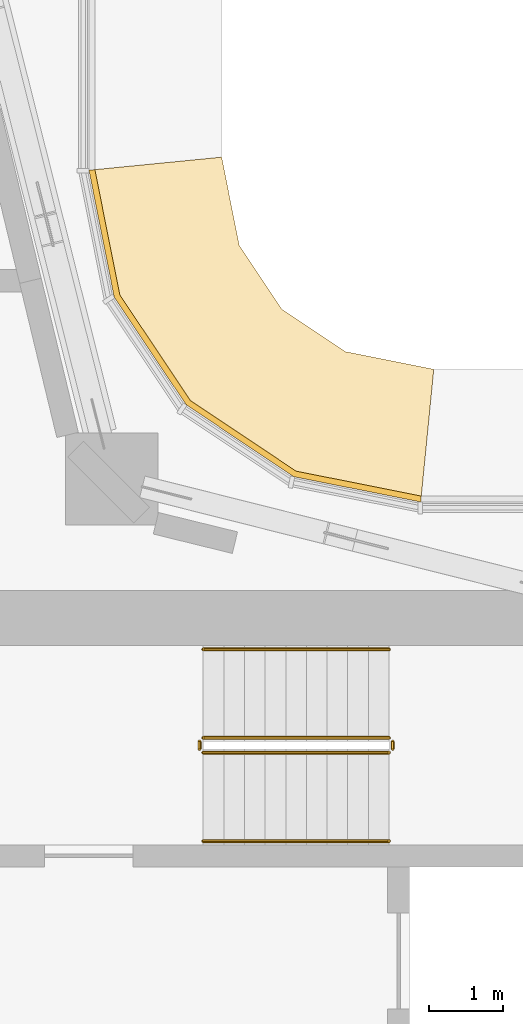
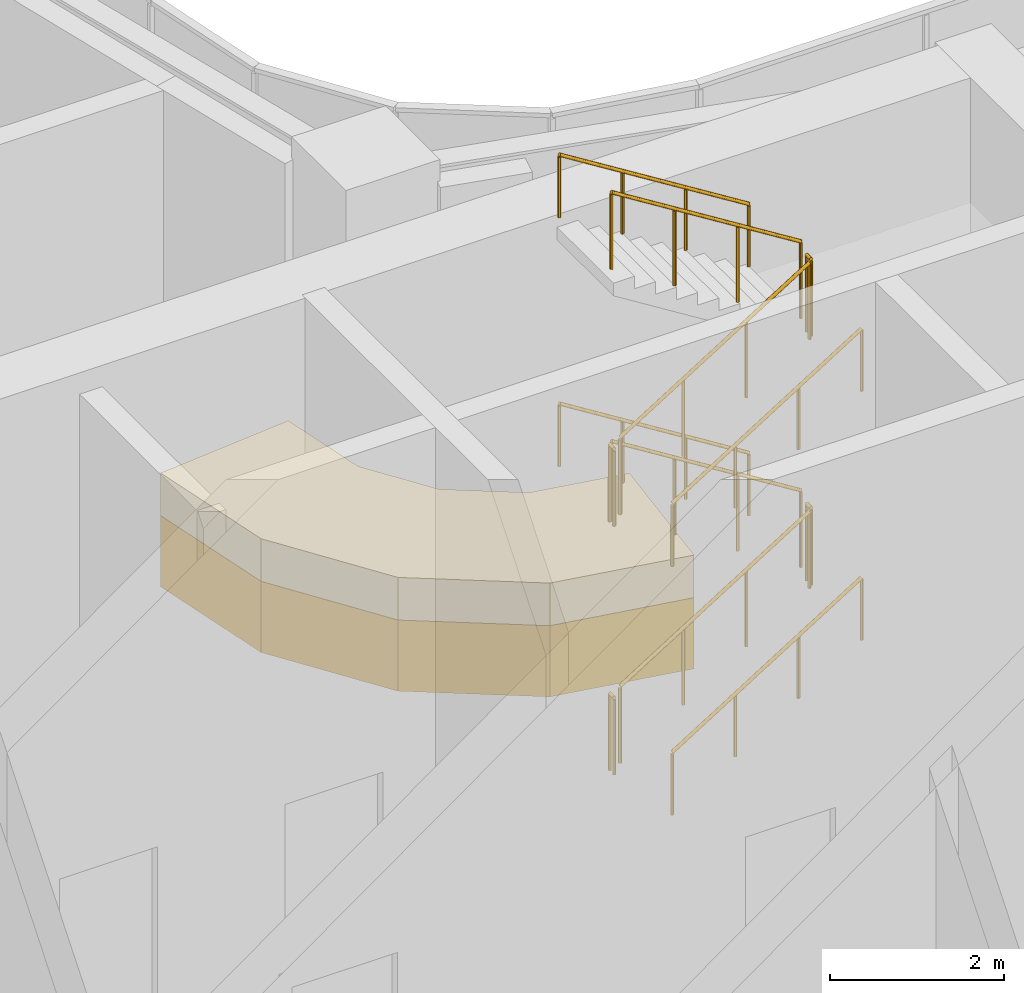
# One storey, part 29 of 35: 12 railings, 2 coverings.
"""IFC4 building model written with IfcOpenShell, lengths in metres."""

from ifc_helpers import new_model, si_unit, direction, frame, origin, origin_2d, place, context, subcontext, project, spatial, polyline, circle, outline, extrude, material, layer, layer_set, type_object, element, save


model = new_model("IFC4")

# Units and contexts
model_context = context("Model", 3, precision=1e-05, world=origin(), true_north=direction((0.0, 1.0)))
body_context = subcontext(model_context, "Body", "Model", "MODEL_VIEW")
ifc_project = project(units=[si_unit("LENGTHUNIT", "METRE"), si_unit("AREAUNIT", "SQUARE_METRE"), si_unit("VOLUMEUNIT", "CUBIC_METRE"), si_unit("PLANEANGLEUNIT", "RADIAN"), si_unit("MASSUNIT", "GRAM", prefix="KILO")], contexts=[model_context])

# Site, building, storey
site_placement = place(None, origin())
site = spatial("IfcSite", under=ifc_project, at=site_placement, CompositionType="ELEMENT")
building_placement = place(site_placement, origin())
building = spatial("IfcBuilding", under=site, at=building_placement, Name="Ogive Portal Towers", CompositionType="ELEMENT")
storey_placement = place(building_placement, frame((0.0, 0.0, 135.199951171875)))
storey = spatial("IfcBuildingStorey", under=building, at=storey_placement, Name="L33", CompositionType="ELEMENT", Elevation=135.199951171875)

# Railings
ifc_material_1 = material(Name="Stainless steel balustrade", Category="steel")
railing_type_1 = type_object("IfcRailingType", Name="INT-GUARD", PredefinedType="GUARDRAIL", material=ifc_material_1)
railing_1_placement = place(storey_placement, frame((52.550048828125, 37.60009765625, 0.175048828125)))
element("IfcRailing", 1, at=railing_1_placement, inside=storey, type_object=railing_type_1, Name="L33 ST-A2 stair guard 1", PredefinedType="GUARDRAIL", context=body_context, shape_type="SweptSolid", body=[
    extrude(circle(Radius=0.02392578125, at=origin_2d()), frame((0.0, 0.0, 1.076171875), z_axis=(0.848007534815, 0.0, 0.529984170421), x_axis=(0.0, 1.0, 0.0)), (0.0, 0.0, 1.0), 2.9716796875),
    extrude(circle(Radius=0.02099609375, at=origin_2d()), origin(), (0.0, 0.0, 1.0), 1.052001953125),
    extrude(circle(Radius=0.02099609375, at=origin_2d()), frame((0.840087890625, 0.0, 0.52490234375)), (0.0, 0.0, 1.0), 1.052001953125),
    extrude(circle(Radius=0.02099609375, at=origin_2d()), frame((1.679931640625, 0.0, 1.050048828125)), (0.0, 0.0, 1.0), 1.052001953125),
    extrude(circle(Radius=0.02099609375, at=origin_2d()), frame((2.52001953125, 0.0, 1.574951171875)), (0.0, 0.0, 1.0), 1.052001953125),
])
railing_2_placement = place(storey_placement, frame((55.1201171875, 37.64990234375, 1.75)))
element("IfcRailing", 2, at=railing_2_placement, inside=storey, type_object=railing_type_1, Name="L33 ST-A2 stair guard 2", PredefinedType="GUARDRAIL", context=body_context, shape_type="SweptSolid", body=[
    extrude(circle(Radius=0.02392578125, at=origin_2d()), frame((0.0, 0.0, 1.076171875), z_axis=(0.0, 1.0, 0.0), x_axis=(-1.0, 0.0, 0.0)), (0.0, 0.0, 1.0), 0.10009765625),
    extrude(circle(Radius=0.02099609375, at=origin_2d()), origin(), (0.0, 0.0, 1.0), 1.052001953125),
    extrude(circle(Radius=0.02099609375, at=origin_2d()), frame((0.0, 0.10009765625, 0.0)), (0.0, 0.0, 1.0), 1.052001953125),
])
railing_3_placement = place(storey_placement, frame((55.070068359375, 37.800048828125, 1.925048828125)))
element("IfcRailing", 3, at=railing_3_placement, inside=storey, type_object=railing_type_1, Name="L33 ST-A2 stair guard 3", PredefinedType="GUARDRAIL", context=body_context, shape_type="SweptSolid", body=[
    extrude(circle(Radius=0.02392578125, at=origin_2d()), frame((0.0, 0.0, 1.076171875), z_axis=(-0.848007534815, 0.0, 0.529984170421), x_axis=(0.0, -1.0, 0.0)), (0.0, 0.0, 1.0), 2.9716796875),
    extrude(circle(Radius=0.02099609375, at=origin_2d()), origin(), (0.0, 0.0, 1.0), 1.052001953125),
    extrude(circle(Radius=0.02099609375, at=origin_2d()), frame((-0.840087890625, 0.0, 0.52490234375)), (0.0, 0.0, 1.0), 1.052001953125),
    extrude(circle(Radius=0.02099609375, at=origin_2d()), frame((-1.679931640625, 0.0, 1.050048828125)), (0.0, 0.0, 1.0), 1.052001953125),
    extrude(circle(Radius=0.02099609375, at=origin_2d()), frame((-2.52001953125, 0.0, 1.574951171875)), (0.0, 0.0, 1.0), 1.052001953125),
])
railing_4_placement = place(storey_placement, frame((52.5, 37.64990234375, 3.5)))
element("IfcRailing", 4, at=railing_4_placement, inside=storey, type_object=railing_type_1, Name="L33 ST-A2 stair guard 4", PredefinedType="GUARDRAIL", context=body_context, shape_type="SweptSolid", body=[
    extrude(circle(Radius=0.02392578125, at=origin_2d()), frame((0.0, 0.0, 1.076171875), z_axis=(0.0, 1.0, 0.0), x_axis=(-1.0, 0.0, 0.0)), (0.0, 0.0, 1.0), 0.10009765625),
    extrude(circle(Radius=0.02099609375, at=origin_2d()), origin(), (0.0, 0.0, 1.0), 1.052001953125),
    extrude(circle(Radius=0.02099609375, at=origin_2d()), frame((0.0, 0.10009765625, 0.0)), (0.0, 0.0, 1.0), 1.052001953125),
])
railing_5_placement = place(storey_placement, frame((52.550048828125, 37.60009765625, 3.675048828125)))
element("IfcRailing", 5, at=railing_5_placement, inside=storey, type_object=railing_type_1, Name="L33 ST-A2 stair guard 5", PredefinedType="GUARDRAIL", context=body_context, shape_type="SweptSolid", body=[
    extrude(circle(Radius=0.02392578125, at=origin_2d()), frame((0.0, 0.0, 1.076171875), z_axis=(0.848007534815, 0.0, 0.529984170421), x_axis=(0.0, 1.0, 0.0)), (0.0, 0.0, 1.0), 2.9716796875),
    extrude(circle(Radius=0.02099609375, at=origin_2d()), origin(), (0.0, 0.0, 1.0), 1.052001953125),
    extrude(circle(Radius=0.02099609375, at=origin_2d()), frame((0.840087890625, 0.0, 0.52490234375)), (0.0, 0.0, 1.0), 1.052001953125),
    extrude(circle(Radius=0.02099609375, at=origin_2d()), frame((1.679931640625, 0.0, 1.050048828125)), (0.0, 0.0, 1.0), 1.052001953125),
    extrude(circle(Radius=0.02099609375, at=origin_2d()), frame((2.52001953125, 0.0, 1.574951171875)), (0.0, 0.0, 1.0), 1.052001953125),
])
railing_6_placement = place(storey_placement, frame((55.1201171875, 37.64990234375, 5.25)))
element("IfcRailing", 6, at=railing_6_placement, inside=storey, type_object=railing_type_1, Name="L33 ST-A2 stair guard 6", PredefinedType="GUARDRAIL", context=body_context, shape_type="SweptSolid", body=[
    extrude(circle(Radius=0.02392578125, at=origin_2d()), frame((0.0, 0.0, 1.076171875), z_axis=(0.0, 1.0, 0.0), x_axis=(-1.0, 0.0, 0.0)), (0.0, 0.0, 1.0), 0.10009765625),
    extrude(circle(Radius=0.02099609375, at=origin_2d()), origin(), (0.0, 0.0, 1.0), 1.052001953125),
    extrude(circle(Radius=0.02099609375, at=origin_2d()), frame((0.0, 0.10009765625, 0.0)), (0.0, 0.0, 1.0), 1.052001953125),
])
railing_7_placement = place(storey_placement, frame((55.070068359375, 37.800048828125, 5.425048828125)))
element("IfcRailing", 7, at=railing_7_placement, inside=storey, type_object=railing_type_1, Name="L33 ST-A2 stair guard 7", PredefinedType="GUARDRAIL", context=body_context, shape_type="SweptSolid", body=[
    extrude(circle(Radius=0.02392578125, at=origin_2d()), frame((0.0, 0.0, 1.076171875), z_axis=(-0.848007534815, 0.0, 0.529984170421), x_axis=(0.0, -1.0, 0.0)), (0.0, 0.0, 1.0), 2.9716796875),
    extrude(circle(Radius=0.02099609375, at=origin_2d()), origin(), (0.0, 0.0, 1.0), 1.052001953125),
    extrude(circle(Radius=0.02099609375, at=origin_2d()), frame((-0.840087890625, 0.0, 0.52490234375)), (0.0, 0.0, 1.0), 1.052001953125),
    extrude(circle(Radius=0.02099609375, at=origin_2d()), frame((-1.679931640625, 0.0, 1.050048828125)), (0.0, 0.0, 1.0), 1.052001953125),
    extrude(circle(Radius=0.02099609375, at=origin_2d()), frame((-2.52001953125, 0.0, 1.574951171875)), (0.0, 0.0, 1.0), 1.052001953125),
])
railing_8_placement = place(storey_placement, frame((52.5, 37.64990234375, 0.0)))
element("IfcRailing", 8, at=railing_8_placement, inside=storey, type_object=railing_type_1, Name="L33 ST-A2 stair guard 8", PredefinedType="GUARDRAIL", context=body_context, shape_type="SweptSolid", body=[
    extrude(circle(Radius=0.02392578125, at=origin_2d()), frame((0.0, 0.0, 1.076171875), z_axis=(0.0, 1.0, 0.0), x_axis=(-1.0, 0.0, 0.0)), (0.0, 0.0, 1.0), 0.10009765625),
    extrude(circle(Radius=0.02099609375, at=origin_2d()), origin(), (0.0, 0.0, 1.0), 1.052001953125),
    extrude(circle(Radius=0.02099609375, at=origin_2d()), frame((0.0, 0.10009765625, 0.0)), (0.0, 0.0, 1.0), 1.052001953125),
])
ifc_material_2 = material(Name="Stainless steel handrail", Category="steel")
railing_type_2 = type_object("IfcRailingType", Name="INT-HANDRAIL", PredefinedType="HANDRAIL", material=ifc_material_2)
railing_9_placement = place(storey_placement, frame((52.550048828125, 36.39990234375, 0.175048828125)))
element("IfcRailing", 9, at=railing_9_placement, inside=storey, type_object=railing_type_2, Name="L33 ST-A2 stair handrail 1", PredefinedType="HANDRAIL", context=body_context, shape_type="SweptSolid", body=[
    extrude(circle(Radius=0.02392578125, at=origin_2d()), frame((0.0, 0.0, 0.8759765625), z_axis=(0.848007534815, 0.0, 0.529984170421), x_axis=(0.0, 1.0, 0.0)), (0.0, 0.0, 1.0), 2.9716796875),
    extrude(circle(Radius=0.02099609375, at=origin_2d()), origin(), (0.0, 0.0, 1.0), 0.851806640625),
    extrude(circle(Radius=0.02099609375, at=origin_2d()), frame((0.840087890625, 0.0, 0.52490234375)), (0.0, 0.0, 1.0), 0.851806640625),
    extrude(circle(Radius=0.02099609375, at=origin_2d()), frame((1.679931640625, 0.0, 1.050048828125)), (0.0, 0.0, 1.0), 0.851806640625),
    extrude(circle(Radius=0.02099609375, at=origin_2d()), frame((2.52001953125, 0.0, 1.574951171875)), (0.0, 0.0, 1.0), 0.851806640625),
])
railing_10_placement = place(storey_placement, frame((55.070068359375, 39.0, 1.925048828125)))
element("IfcRailing", 10, at=railing_10_placement, inside=storey, type_object=railing_type_2, Name="L33 ST-A2 stair handrail 2", PredefinedType="HANDRAIL", context=body_context, shape_type="SweptSolid", body=[
    extrude(circle(Radius=0.02392578125, at=origin_2d()), frame((0.0, 0.0, 0.8759765625), z_axis=(-0.848007534815, 0.0, 0.529984170421), x_axis=(0.0, -1.0, 0.0)), (0.0, 0.0, 1.0), 2.9716796875),
    extrude(circle(Radius=0.02099609375, at=origin_2d()), origin(), (0.0, 0.0, 1.0), 0.851806640625),
    extrude(circle(Radius=0.02099609375, at=origin_2d()), frame((-0.840087890625, 0.0, 0.52490234375)), (0.0, 0.0, 1.0), 0.851806640625),
    extrude(circle(Radius=0.02099609375, at=origin_2d()), frame((-1.679931640625, 0.0, 1.050048828125)), (0.0, 0.0, 1.0), 0.851806640625),
    extrude(circle(Radius=0.02099609375, at=origin_2d()), frame((-2.52001953125, 0.0, 1.574951171875)), (0.0, 0.0, 1.0), 0.851806640625),
])
railing_11_placement = place(storey_placement, frame((52.550048828125, 36.39990234375, 3.675048828125)))
element("IfcRailing", 11, at=railing_11_placement, inside=storey, type_object=railing_type_2, Name="L33 ST-A2 stair handrail 3", PredefinedType="HANDRAIL", context=body_context, shape_type="SweptSolid", body=[
    extrude(circle(Radius=0.02392578125, at=origin_2d()), frame((0.0, 0.0, 0.8759765625), z_axis=(0.848007534815, 0.0, 0.529984170421), x_axis=(0.0, 1.0, 0.0)), (0.0, 0.0, 1.0), 2.9716796875),
    extrude(circle(Radius=0.02099609375, at=origin_2d()), origin(), (0.0, 0.0, 1.0), 0.851806640625),
    extrude(circle(Radius=0.02099609375, at=origin_2d()), frame((0.840087890625, 0.0, 0.52490234375)), (0.0, 0.0, 1.0), 0.851806640625),
    extrude(circle(Radius=0.02099609375, at=origin_2d()), frame((1.679931640625, 0.0, 1.050048828125)), (0.0, 0.0, 1.0), 0.851806640625),
    extrude(circle(Radius=0.02099609375, at=origin_2d()), frame((2.52001953125, 0.0, 1.574951171875)), (0.0, 0.0, 1.0), 0.851806640625),
])
railing_12_placement = place(storey_placement, frame((55.070068359375, 39.0, 5.425048828125)))
element("IfcRailing", 12, at=railing_12_placement, inside=storey, type_object=railing_type_2, Name="L33 ST-A2 stair handrail 4", PredefinedType="HANDRAIL", context=body_context, shape_type="SweptSolid", body=[
    extrude(circle(Radius=0.02392578125, at=origin_2d()), frame((0.0, 0.0, 0.8759765625), z_axis=(-0.848007534815, 0.0, 0.529984170421), x_axis=(0.0, -1.0, 0.0)), (0.0, 0.0, 1.0), 2.9716796875),
    extrude(circle(Radius=0.02099609375, at=origin_2d()), origin(), (0.0, 0.0, 1.0), 0.851806640625),
    extrude(circle(Radius=0.02099609375, at=origin_2d()), frame((-0.840087890625, 0.0, 0.52490234375)), (0.0, 0.0, 1.0), 0.851806640625),
    extrude(circle(Radius=0.02099609375, at=origin_2d()), frame((-1.679931640625, 0.0, 1.050048828125)), (0.0, 0.0, 1.0), 0.851806640625),
    extrude(circle(Radius=0.02099609375, at=origin_2d()), frame((-2.52001953125, 0.0, 1.574951171875)), (0.0, 0.0, 1.0), 0.851806640625),
])

# Coverings
ifc_material_3 = material(Name="Limestone cladding on lightweight block wall", Category="masonry")
ifc_layer_1 = layer(ifc_material_3, 0.080078125)
ifc_layer_set_1 = layer_set([ifc_layer_1], Name="STONE SPANDREL 80")
covering_type_1 = type_object("IfcCoveringType", Name="STONE SPANDREL 80", PredefinedType="CLADDING", material=ifc_layer_set_1)
covering_1_placement = place(storey_placement, frame((0.0, 0.0, -1.599853515625)))
element("IfcCovering", 13, at=covering_1_placement, inside=storey, type_object=covering_type_1, Name="Stone spandrel A1-F10", PredefinedType="CLADDING", context=body_context, shape_type="SweptSolid", body=[
    extrude(outline(polyline([(55.5, 41.0), (53.77783203125, 41.342529296875), (52.318115234375, 42.318115234375), (51.342529296875, 43.77783203125), (51.0, 45.5), (51.080078125, 45.5078125), (51.41796875, 43.80908203125), (52.375732421875, 42.375732421875), (53.80908203125, 41.41796875), (55.5078125, 41.080078125), (55.5, 41.0)])), origin(), (0.0, 0.0, 1.0), 1.0),
])
ifc_layer_2 = layer(ifc_material_3, 0.60009765625)
ifc_layer_set_2 = layer_set([ifc_layer_2], Name="SUNSHADE LIP 600")
covering_type_2 = type_object("IfcCoveringType", Name="SUNSHADE LIP 600", PredefinedType="CLADDING", material=ifc_layer_set_2)
covering_2_placement = place(storey_placement, frame((0.0, 0.0, -0.599853515625)))
element("IfcCovering", 14, at=covering_2_placement, inside=storey, type_object=covering_type_2, Name="Sunshade lip A1-F10", PredefinedType="CLADDING", context=body_context, shape_type="SweptSolid", body=[
    extrude(outline(polyline([(55.5, 41.0), (53.77783203125, 41.342529296875), (52.318115234375, 42.318115234375), (51.342529296875, 43.77783203125), (51.0, 45.5), (52.800048828125, 45.67724609375), (53.0380859375, 44.480224609375), (53.61572265625, 43.61572265625), (54.480224609375, 43.0380859375), (55.67724609375, 42.800048828125), (55.5, 41.0)])), origin(), (0.0, 0.0, 1.0), 0.599853515625),
])

save(model, "model.ifc")
